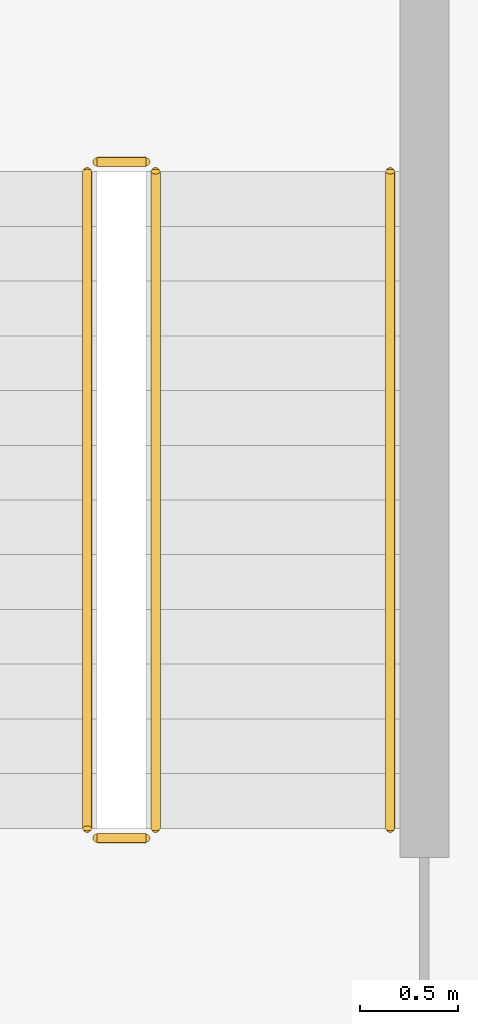
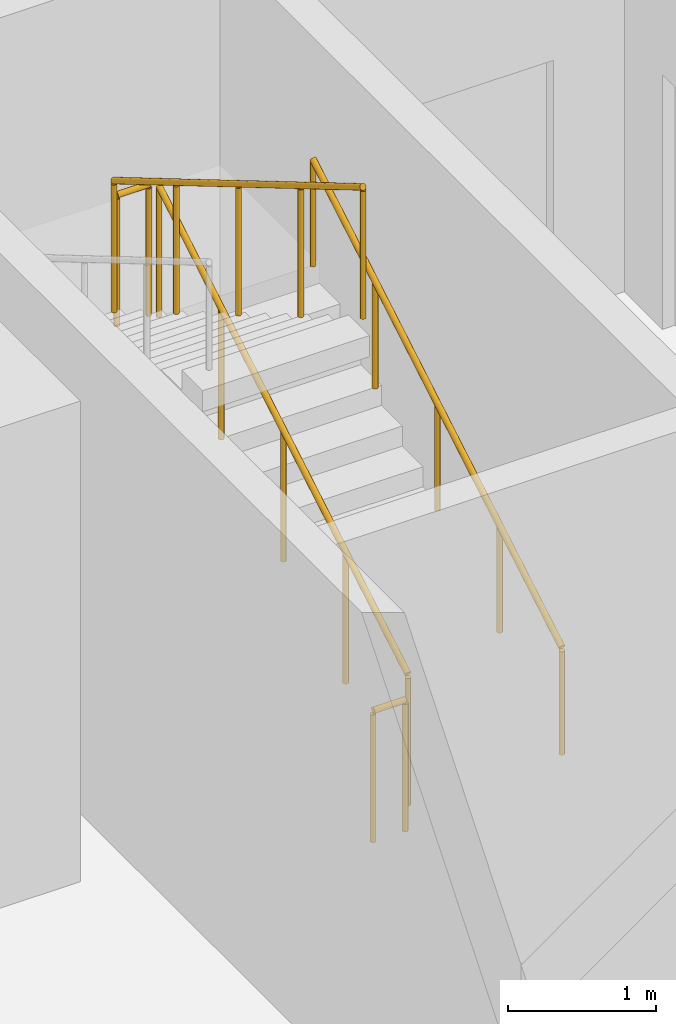
# One storey, part 34 of 39: 5 railings.
"""IFC4 building model written with IfcOpenShell, lengths in metres."""

from ifc_helpers import new_model, si_unit, direction, frame, origin, origin_2d, place, context, subcontext, project, spatial, circle, extrude, material, type_object, element, save


model = new_model("IFC4")

# Units and contexts
model_context = context("Model", 3, precision=1e-05, world=origin(), true_north=direction((0.0, 1.0)))
body_context = subcontext(model_context, "Body", "Model", "MODEL_VIEW")
ifc_project = project(units=[si_unit("LENGTHUNIT", "METRE"), si_unit("AREAUNIT", "SQUARE_METRE"), si_unit("VOLUMEUNIT", "CUBIC_METRE"), si_unit("PLANEANGLEUNIT", "RADIAN"), si_unit("MASSUNIT", "GRAM", prefix="KILO")], contexts=[model_context])

# Site, building, storey
site_placement = place(None, origin())
site = spatial("IfcSite", under=ifc_project, at=site_placement, CompositionType="ELEMENT")
building_placement = place(site_placement, origin())
building = spatial("IfcBuilding", under=site, at=building_placement, Name="Mahtab Terrace Research Tower", CompositionType="ELEMENT")
storey_placement = place(building_placement, frame((0.0, 0.0, 7.199951171875)))
storey = spatial("IfcBuildingStorey", under=building, at=storey_placement, Name="L01", CompositionType="ELEMENT", Elevation=7.199951171875)

# Railings
ifc_material = material(Name="Stainless steel AISI 304", Category="steel")
railing_type_1 = type_object("IfcRailingType", Name="Stair guard 1100", PredefinedType="GUARDRAIL", material=ifc_material)
railing_1_placement = place(storey_placement, frame((-26.949951171875, 10.175048828125, 0.16552734375)))
element("IfcRailing", 1, at=railing_1_placement, inside=storey, type_object=railing_type_1, Name="L01 ST1 stair guard 1", PredefinedType="GUARDRAIL", context=body_context, shape_type="SweptSolid", body=[
    extrude(circle(Radius=0.02392578125, at=origin_2d()), frame((0.0, 0.0, 1.076171875), z_axis=(0.0, 0.861011212953, 0.508585972249), x_axis=(-1.0, 0.0, 0.0)), (0.0, 0.0, 1.0), 3.90234375),
    extrude(circle(Radius=0.02099609375, at=origin_2d()), origin(), (0.0, 0.0, 1.0), 1.052001953125),
    extrude(circle(Radius=0.02099609375, at=origin_2d()), frame((0.0, 0.83984375, 0.49609375)), (0.0, 0.0, 1.0), 1.052001953125),
    extrude(circle(Radius=0.02099609375, at=origin_2d()), frame((0.0, 1.679931640625, 0.9921875)), (0.0, 0.0, 1.0), 1.052001953125),
    extrude(circle(Radius=0.02099609375, at=origin_2d()), frame((0.0, 2.52001953125, 1.488525390625)), (0.0, 0.0, 1.0), 1.052001953125),
    extrude(circle(Radius=0.02099609375, at=origin_2d()), frame((0.0, 3.35986328125, 1.984619140625)), (0.0, 0.0, 1.0), 1.052001953125),
])
railing_2_placement = place(storey_placement, frame((-27.0, 13.5849609375, 2.150146484375)))
element("IfcRailing", 2, at=railing_2_placement, inside=storey, type_object=railing_type_1, Name="L01 ST1 stair guard 2", PredefinedType="GUARDRAIL", context=body_context, shape_type="SweptSolid", body=[
    extrude(circle(Radius=0.02392578125, at=origin_2d()), frame((0.0, 0.0, 1.076171875), z_axis=(-1.0, 0.0, 0.0), x_axis=(0.0, -1.0, 0.0)), (0.0, 0.0, 1.0), 0.25),
    extrude(circle(Radius=0.02099609375, at=origin_2d()), origin(), (0.0, 0.0, 1.0), 1.052001953125),
    extrude(circle(Radius=0.02099609375, at=origin_2d()), frame((-0.25, 0.0, 0.0)), (0.0, 0.0, 1.0), 1.052001953125),
])
railing_3_placement = place(storey_placement, frame((-27.300048828125, 13.534912109375, 2.3154296875)))
element("IfcRailing", 3, at=railing_3_placement, inside=storey, type_object=railing_type_1, Name="L01 ST1 stair guard 3", PredefinedType="GUARDRAIL", context=body_context, shape_type="SweptSolid", body=[
    extrude(circle(Radius=0.02392578125, at=origin_2d()), frame((0.0, 0.0, 1.076171875), z_axis=(0.0, -0.861011212953, 0.508585972249), x_axis=(1.0, 0.0, 0.0)), (0.0, 0.0, 1.0), 3.90234375),
    extrude(circle(Radius=0.02099609375, at=origin_2d()), origin(), (0.0, 0.0, 1.0), 1.052001953125),
    extrude(circle(Radius=0.02099609375, at=origin_2d()), frame((0.0, -0.83984375, 0.49609375)), (0.0, 0.0, 1.0), 1.052001953125),
    extrude(circle(Radius=0.02099609375, at=origin_2d()), frame((0.0, -1.679931640625, 0.9921875)), (0.0, 0.0, 1.0), 1.052001953125),
    extrude(circle(Radius=0.02099609375, at=origin_2d()), frame((0.0, -2.52001953125, 1.488525390625)), (0.0, 0.0, 1.0), 1.052001953125),
    extrude(circle(Radius=0.02099609375, at=origin_2d()), frame((0.0, -3.35986328125, 1.984619140625)), (0.0, 0.0, 1.0), 1.052001953125),
])
railing_4_placement = place(storey_placement, frame((-27.0, 10.125, 0.0)))
element("IfcRailing", 4, at=railing_4_placement, inside=storey, type_object=railing_type_1, Name="L01 ST1 stair guard 4", PredefinedType="GUARDRAIL", context=body_context, shape_type="SweptSolid", body=[
    extrude(circle(Radius=0.02392578125, at=origin_2d()), frame((0.0, 0.0, 1.076171875), z_axis=(-1.0, 0.0, 0.0), x_axis=(0.0, -1.0, 0.0)), (0.0, 0.0, 1.0), 0.25),
    extrude(circle(Radius=0.02099609375, at=origin_2d()), origin(), (0.0, 0.0, 1.0), 1.052001953125),
    extrude(circle(Radius=0.02099609375, at=origin_2d()), frame((-0.25, 0.0, 0.0)), (0.0, 0.0, 1.0), 1.052001953125),
])
railing_type_2 = type_object("IfcRailingType", Name="Stair handrail 900", PredefinedType="HANDRAIL", material=ifc_material)
railing_5_placement = place(storey_placement, frame((-25.75, 10.175048828125, 0.16552734375)))
element("IfcRailing", 5, at=railing_5_placement, inside=storey, type_object=railing_type_2, Name="L01 ST1 stair handrail 1", PredefinedType="HANDRAIL", context=body_context, shape_type="SweptSolid", body=[
    extrude(circle(Radius=0.02392578125, at=origin_2d()), frame((0.0, 0.0, 0.8759765625), z_axis=(0.0, 0.861011212953, 0.508585972249), x_axis=(-1.0, 0.0, 0.0)), (0.0, 0.0, 1.0), 3.90234375),
    extrude(circle(Radius=0.02099609375, at=origin_2d()), origin(), (0.0, 0.0, 1.0), 0.851806640625),
    extrude(circle(Radius=0.02099609375, at=origin_2d()), frame((0.0, 0.83984375, 0.49609375)), (0.0, 0.0, 1.0), 0.851806640625),
    extrude(circle(Radius=0.02099609375, at=origin_2d()), frame((0.0, 1.679931640625, 0.9921875)), (0.0, 0.0, 1.0), 0.851806640625),
    extrude(circle(Radius=0.02099609375, at=origin_2d()), frame((0.0, 2.52001953125, 1.488525390625)), (0.0, 0.0, 1.0), 0.851806640625),
    extrude(circle(Radius=0.02099609375, at=origin_2d()), frame((0.0, 3.35986328125, 1.984619140625)), (0.0, 0.0, 1.0), 0.851806640625),
])

save(model, "model.ifc")
